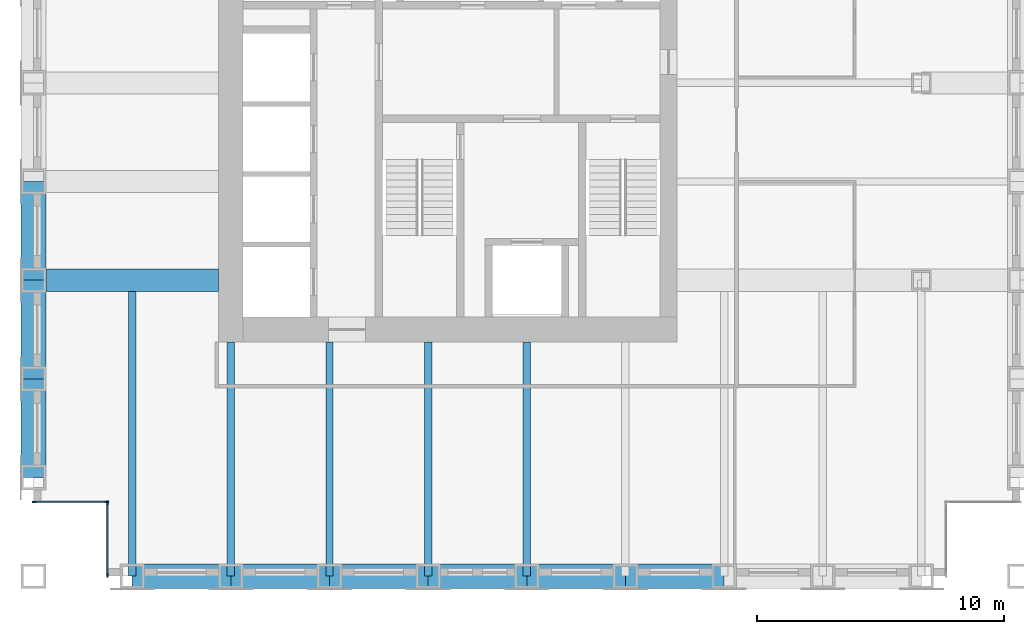
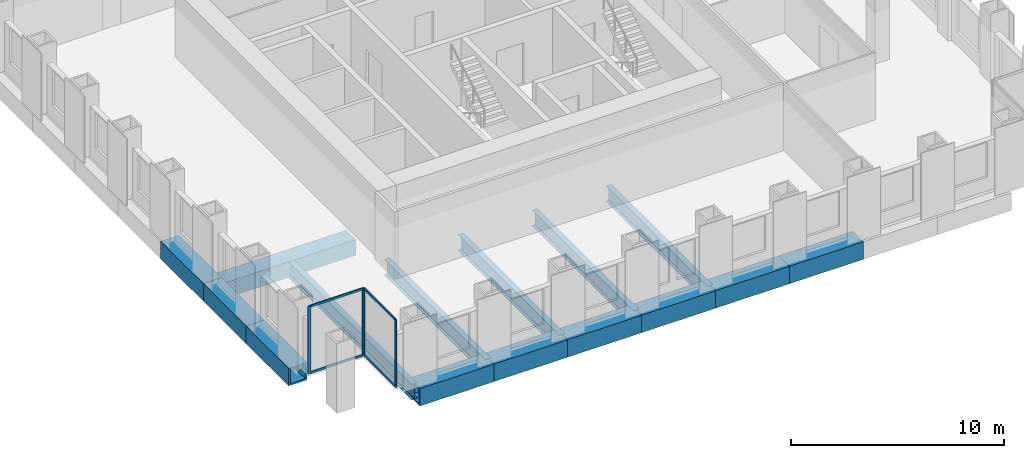
# One storey, part 2 of 13: 15 beams, 8 members, 2 elements without a shape of their own.
"""IFC4 building model written with IfcOpenShell, lengths in metres."""

from ifc_helpers import new_model, si_unit, direction, frame, origin, origin_2d, place, context, subcontext, project, spatial, rectangle, hollow_rectangle, i_section, extrude, material, material_profile, profile_set, type_object, element, aggregate, save


model = new_model("IFC4")

# Units and contexts
model_context = context("Model", 3, precision=1e-05, world=origin(), true_north=direction((0.0, 1.0)))
body_context = subcontext(model_context, "Body", "Model", "MODEL_VIEW")
ifc_project = project(units=[si_unit("LENGTHUNIT", "METRE"), si_unit("AREAUNIT", "SQUARE_METRE"), si_unit("VOLUMEUNIT", "CUBIC_METRE"), si_unit("PLANEANGLEUNIT", "RADIAN"), si_unit("MASSUNIT", "GRAM", prefix="KILO")], contexts=[model_context])

# Site, building, storey
site_placement = place(None, origin())
site = spatial("IfcSite", under=ifc_project, at=site_placement, CompositionType="ELEMENT")
building_placement = place(site_placement, origin())
building = spatial("IfcBuilding", under=site, at=building_placement, Name="Rimbunsela Tower", CompositionType="ELEMENT")
storey_placement = place(building_placement, frame((0.0, 0.0, 214.199951171875)))
storey = spatial("IfcBuildingStorey", under=building, at=storey_placement, Name="L51", CompositionType="ELEMENT", Elevation=214.199951171875)

# Beams
ifc_material_1 = material(Name="Steel BJ 55 (fy 410 MPa)", Category="steel")
ifc_material_profile_1 = material_profile(ifc_material_1, hollow_rectangle(XDim=1.0, YDim=1.0, WallThickness=0.10009765625, at=origin_2d()), Name="BOX 1000x1000x100")
ifc_profile_set_1 = profile_set([ifc_material_profile_1], Name="Steel BJ 55 (fy 410 MPa)")
beam_type_1 = type_object("IfcBeamType", Name="Beam BOX 1000x1000x100", PredefinedType="BEAM", material=ifc_profile_set_1)
for number, where, z_axis, x_axis, name in (
    (1, (10.0, 12.0, -0.64990234375), (0.0, 1.0, 0.0), (-1.0, 0.0, 0.0), "Beam B3 L51"),
    (2, (10.0, 16.0, -0.64990234375), (0.0, 1.0, 0.0), (-1.0, 0.0, 0.0), "Beam B3 L51"),
    (3, (10.0, 20.0, -0.64990234375), (0.0, 1.0, 0.0), (-1.0, 0.0, 0.0), "Beam B3 L51"),
    (4, (14.0, 8.0, -0.64990234375), (1.0, 0.0, 0.0), (0.0, 1.0, 0.0), "Beam B3 L51"),
    (5, (18.0, 8.0, -0.64990234375), (1.0, 0.0, 0.0), (0.0, 1.0, 0.0), "Beam B3 L51"),
    (6, (22.0, 8.0, -0.64990234375), (1.0, 0.0, 0.0), (0.0, 1.0, 0.0), "Beam B3 L51"),
    (7, (26.0, 8.0, -0.64990234375), (1.0, 0.0, 0.0), (0.0, 1.0, 0.0), "Beam B3 L51"),
    (8, (30.0, 8.0, -0.64990234375), (1.0, 0.0, 0.0), (0.0, 1.0, 0.0), "Beam B3 L51"),
    (9, (34.0, 8.0, -0.64990234375), (1.0, 0.0, 0.0), (0.0, 1.0, 0.0), "Beam B3 L51"),
):
    element("IfcBeam", number, at=place(storey_placement, frame(where, z_axis=z_axis, x_axis=x_axis)), inside=storey, type_object=beam_type_1, Name=name, PredefinedType="BEAM", context=body_context, shape_type="SweptSolid", body=[
        extrude(hollow_rectangle(XDim=1.0, YDim=1.0, WallThickness=0.10009765625, at=origin_2d()), origin(), (0.0, 0.0, 1.0), 4.0),
    ])
ifc_material_2 = material(Name="Steel BJ 55 (fy 410 MPa)", Category="steel")
ifc_material_profile_2 = material_profile(ifc_material_2, hollow_rectangle(XDim=0.89990234375, YDim=0.89990234375, WallThickness=0.06005859375, at=origin_2d()), Name="BOX 900x900x60")
ifc_profile_set_2 = profile_set([ifc_material_profile_2], Name="Steel BJ 55 (fy 410 MPa)")
beam_type_2 = type_object("IfcBeamType", Name="Beam BOX 900x900x60", PredefinedType="BEAM", material=ifc_profile_set_2)
beam_1_placement = place(storey_placement, frame((10.0, 20.0, -0.599853515625), z_axis=(1.0, 0.0, 0.0), x_axis=(0.0, 1.0, 0.0)))
element("IfcBeam", 10, at=beam_1_placement, inside=storey, type_object=beam_type_2, Name="Beam B1 L51", PredefinedType="BEAM", context=body_context, shape_type="SweptSolid", body=[
    extrude(hollow_rectangle(XDim=0.89990234375, YDim=0.89990234375, WallThickness=0.06005859375, at=origin_2d()), origin(), (0.0, 0.0, 1.0), 7.5),
])
ifc_material_3 = material(Name="Steel BJ 55 (fy 410 MPa)", Category="steel")
ifc_material_profile_3 = material_profile(ifc_material_3, i_section(OverallWidth=0.300048828125, OverallDepth=0.89990234375, WebThickness=0.01611328125, FlangeThickness=0.028076171875, FilletRadius=0.028076171875, at=origin_2d()), Name="H 900x300x16x28")
ifc_profile_set_3 = profile_set([ifc_material_profile_3], Name="Steel BJ 55 (fy 410 MPa)")
beam_type_3 = type_object("IfcBeamType", Name="Beam H 900x300x16x28", PredefinedType="BEAM", material=ifc_profile_set_3)
beam_2_placement = place(storey_placement, frame((14.0, 8.0, -0.599853515625), z_axis=(0.0, 1.0, 0.0), x_axis=(-1.0, 0.0, 0.0)))
element("IfcBeam", 11, at=beam_2_placement, inside=storey, type_object=beam_type_3, Name="Beam B2 L51", PredefinedType="BEAM", context=body_context, shape_type="SweptSolid", body=[
    extrude(i_section(OverallWidth=0.300048828125, OverallDepth=0.89990234375, WebThickness=0.01611328125, FlangeThickness=0.028076171875, FilletRadius=0.028076171875, at=origin_2d()), origin(), (0.0, 0.0, 1.0), 11.550048828125),
])
for number, where, z_axis, x_axis, name in (
    (12, (18.0, 8.0, -0.599853515625), (0.0, 1.0, 0.0), (-1.0, 0.0, 0.0), "Beam B2 L51"),
    (13, (22.0, 8.0, -0.599853515625), (0.0, 1.0, 0.0), (-1.0, 0.0, 0.0), "Beam B2 L51"),
    (14, (26.0, 8.0, -0.599853515625), (0.0, 1.0, 0.0), (-1.0, 0.0, 0.0), "Beam B2 L51"),
    (15, (30.0, 8.0, -0.599853515625), (0.0, 1.0, 0.0), (-1.0, 0.0, 0.0), "Beam B2 L51"),
):
    element("IfcBeam", number, at=place(storey_placement, frame(where, z_axis=z_axis, x_axis=x_axis)), inside=storey, type_object=beam_type_3, Name=name, PredefinedType="BEAM", context=body_context, shape_type="SweptSolid", body=[
        extrude(i_section(OverallWidth=0.300048828125, OverallDepth=0.89990234375, WebThickness=0.01611328125, FlangeThickness=0.028076171875, FilletRadius=0.028076171875, at=origin_2d()), origin(), (0.0, 0.0, 1.0), 9.5),
    ])

# Curtain wall, members
ifc_material_4 = material(Name="Aluminium curtain wall", Category="aluminium")
curtain_wall_type = type_object("IfcCurtainWallType", Name="Corner glazing", PredefinedType="USERDEFINED", material=ifc_material_4)
curtain_wall_1_placement = place(storey_placement, origin())
curtain_wall_1 = element("IfcCurtainWall", 16, at=curtain_wall_1_placement, inside=storey, type_object=curtain_wall_type, Name="Corner glazing L51", ObjectType="CORNER GLAZING", PredefinedType="USERDEFINED")
ifc_material_5 = material(Name="Aluminium mullion", Category="aluminium")
ifc_material_profile_4 = material_profile(ifc_material_5, rectangle(XDim=0.06005859375, YDim=0.159912109375, at=origin_2d()), Name="Mullion 60x160")
ifc_profile_set_4 = profile_set([ifc_material_profile_4], Name="Aluminium mullion")
member_type_1 = type_object("IfcMemberType", Name="Curtain wall mullion 60x160", PredefinedType="MULLION", material=ifc_profile_set_4)
member_1_placement = place(storey_placement, frame((10.030029296875, 11.0, 0.0), z_axis=(0.0, 0.0, 1.0), x_axis=(0.0, 1.0, 0.0)))
member_1 = element("IfcMember", 17, at=member_1_placement, type_object=member_type_1, Name="CW5 mullion 1", PredefinedType="MULLION", context=body_context, shape_type="SweptSolid", body=[
    extrude(rectangle(XDim=0.06005859375, YDim=0.159912109375, at=origin_2d()), origin(), (0.0, 0.0, 1.0), 3.85009765625),
])
member_2_placement = place(storey_placement, frame((12.969970703125, 11.0, 0.0), z_axis=(0.0, 0.0, 1.0), x_axis=(0.0, 1.0, 0.0)))
member_2 = element("IfcMember", 18, at=member_2_placement, type_object=member_type_1, Name="CW5 mullion 2", PredefinedType="MULLION", context=body_context, shape_type="SweptSolid", body=[
    extrude(rectangle(XDim=0.06005859375, YDim=0.159912109375, at=origin_2d()), origin(), (0.0, 0.0, 1.0), 3.85009765625),
])

curtain_wall_2_placement = place(storey_placement, origin())
curtain_wall_2 = element("IfcCurtainWall", 19, at=curtain_wall_2_placement, inside=storey, type_object=curtain_wall_type, Name="Corner glazing L51", ObjectType="CORNER GLAZING", PredefinedType="USERDEFINED")
member_3_placement = place(storey_placement, frame((13.0, 10.969970703125, 0.0), z_axis=(0.0, 0.0, 1.0), x_axis=(1.0, 0.0, 0.0)))
member_3 = element("IfcMember", 20, at=member_3_placement, type_object=member_type_1, Name="CW5 mullion 1", PredefinedType="MULLION", context=body_context, shape_type="SweptSolid", body=[
    extrude(rectangle(XDim=0.06005859375, YDim=0.159912109375, at=origin_2d()), origin(), (0.0, 0.0, 1.0), 3.85009765625),
])
member_4_placement = place(storey_placement, frame((13.0, 8.030029296875, 0.0), z_axis=(0.0, 0.0, 1.0), x_axis=(1.0, 0.0, 0.0)))
member_4 = element("IfcMember", 21, at=member_4_placement, type_object=member_type_1, Name="CW5 mullion 2", PredefinedType="MULLION", context=body_context, shape_type="SweptSolid", body=[
    extrude(rectangle(XDim=0.06005859375, YDim=0.159912109375, at=origin_2d()), origin(), (0.0, 0.0, 1.0), 3.85009765625),
])

# Member
ifc_material_6 = material(Name="Aluminium transom", Category="aluminium")
ifc_material_profile_5 = material_profile(ifc_material_6, rectangle(XDim=0.06005859375, YDim=0.1201171875, at=origin_2d()), Name="Transom 60x120")
ifc_profile_set_5 = profile_set([ifc_material_profile_5], Name="Aluminium transom")
member_type_2 = type_object("IfcMemberType", Name="Curtain wall transom 60x120", PredefinedType="USERDEFINED", material=ifc_profile_set_5)
member_5_placement = place(storey_placement, frame((10.06005859375, 11.0, 0.030029296875), z_axis=(1.0, 0.0, 0.0), x_axis=(0.0, 1.0, 0.0)))
member_5 = element("IfcMember", 22, at=member_5_placement, type_object=member_type_2, Name="CW5 transom 1.1", ObjectType="TRANSOM", PredefinedType="USERDEFINED", context=body_context, shape_type="SweptSolid", body=[
    extrude(rectangle(XDim=0.06005859375, YDim=0.1201171875, at=origin_2d()), origin(), (0.0, 0.0, 1.0), 2.8798828125),
])

member_6_placement = place(storey_placement, frame((10.06005859375, 11.0, 3.820068359375), z_axis=(1.0, 0.0, 0.0), x_axis=(0.0, 1.0, 0.0)))
member_6 = element("IfcMember", 23, at=member_6_placement, type_object=member_type_2, Name="CW5 transom 1.2", ObjectType="TRANSOM", PredefinedType="USERDEFINED", context=body_context, shape_type="SweptSolid", body=[
    extrude(rectangle(XDim=0.06005859375, YDim=0.1201171875, at=origin_2d()), origin(), (0.0, 0.0, 1.0), 2.8798828125),
])

aggregate(curtain_wall_1, [member_1, member_2, member_5, member_6])

member_7_placement = place(storey_placement, frame((13.0, 10.93994140625, 0.030029296875), z_axis=(0.0, -1.0, 0.0), x_axis=(1.0, 0.0, 0.0)))
member_7 = element("IfcMember", 24, at=member_7_placement, type_object=member_type_2, Name="CW5 transom 1.1", ObjectType="TRANSOM", PredefinedType="USERDEFINED", context=body_context, shape_type="SweptSolid", body=[
    extrude(rectangle(XDim=0.06005859375, YDim=0.1201171875, at=origin_2d()), origin(), (0.0, 0.0, 1.0), 2.8798828125),
])

member_8_placement = place(storey_placement, frame((13.0, 10.93994140625, 3.820068359375), z_axis=(0.0, -1.0, 0.0), x_axis=(1.0, 0.0, 0.0)))
member_8 = element("IfcMember", 25, at=member_8_placement, type_object=member_type_2, Name="CW5 transom 1.2", ObjectType="TRANSOM", PredefinedType="USERDEFINED", context=body_context, shape_type="SweptSolid", body=[
    extrude(rectangle(XDim=0.06005859375, YDim=0.1201171875, at=origin_2d()), origin(), (0.0, 0.0, 1.0), 2.8798828125),
])

aggregate(curtain_wall_2, [member_3, member_4, member_7, member_8])

save(model, "model.ifc")
